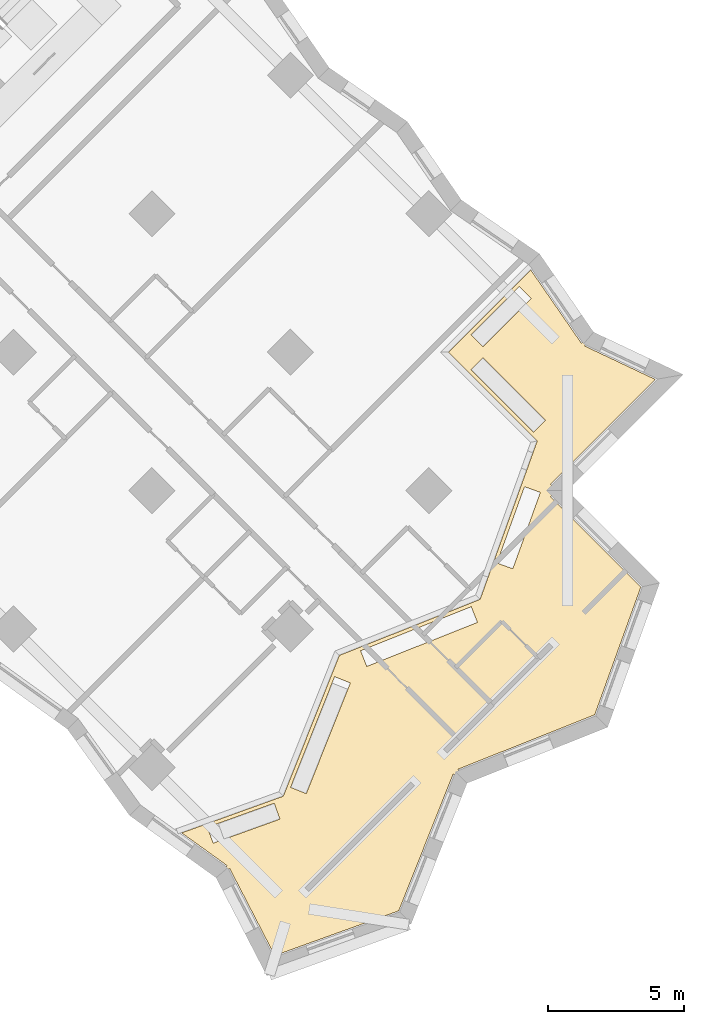
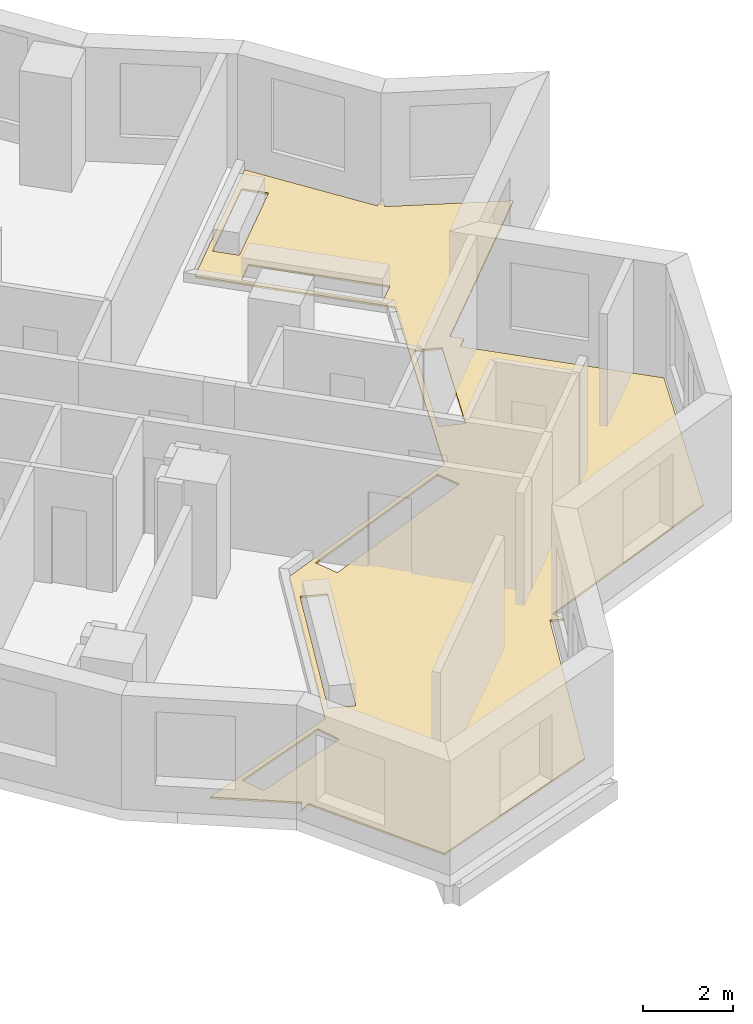
# One storey, part 12 of 13: 1 covering.
"""IFC4 building model written with IfcOpenShell, lengths in metres."""

from ifc_helpers import new_model, si_unit, direction, frame, origin, place, context, subcontext, project, spatial, polyline, outline, extrude, material, layer, layer_set, type_object, element, save


model = new_model("IFC4")

# Units and contexts
model_context = context("Model", 3, precision=1e-05, world=origin(), true_north=direction((0.0, 1.0)))
body_context = subcontext(model_context, "Body", "Model", "MODEL_VIEW")
ifc_project = project(units=[si_unit("LENGTHUNIT", "METRE"), si_unit("AREAUNIT", "SQUARE_METRE"), si_unit("VOLUMEUNIT", "CUBIC_METRE"), si_unit("PLANEANGLEUNIT", "RADIAN"), si_unit("MASSUNIT", "GRAM", prefix="KILO")], contexts=[model_context])

# Site, building, storey
site_placement = place(None, origin())
site = spatial("IfcSite", under=ifc_project, at=site_placement, CompositionType="ELEMENT")
building_placement = place(site_placement, origin())
building = spatial("IfcBuilding", under=site, at=building_placement, Name="Windrow Commons", CompositionType="ELEMENT")
storey_placement = place(building_placement, frame((0.0, 0.0, 64.4)))
storey = spatial("IfcBuildingStorey", under=building, at=storey_placement, Name="L17", CompositionType="ELEMENT", Elevation=64.4)

# Covering
ifc_material = material(Name="Granite pavers on waterproofing membrane", Category="masonry")
ifc_layer = layer(ifc_material, 0.05)
ifc_layer_set = layer_set([ifc_layer], Name="Terrace roofing 50")
covering_type = type_object("IfcCoveringType", Name="Terrace roofing 50", PredefinedType="ROOFING", material=ifc_layer_set)
covering_placement = place(storey_placement, origin())
element("IfcCovering", 1, at=covering_placement, inside=storey, type_object=covering_type, Name="Terrace roofing TR-L17-1", PredefinedType="ROOFING", context=body_context, shape_type="SweptSolid", body=[
    extrude(outline(polyline([(113.3428, 32.0235), (113.5731, 32.6621), (113.7307, 33.0993), (110.4683, 36.3618), (113.4918, 39.3853), (115.3493, 36.6943), (115.6168, 36.879), (115.4778, 36.5852), (118.0754, 35.3564), (114.2195, 31.5004), (114.4493, 31.2706), (114.2195, 31.0408), (117.5386, 27.7216), (115.845, 23.0255), (110.8187, 21.0257), (110.9389, 20.7237), (110.6369, 20.8439), (108.637, 15.8176), (104.0773, 14.1732), (102.4248, 17.3679), (102.1362, 17.2185), (102.326, 17.4823), (100.6539, 18.6858), (104.3926, 20.0341), (106.4521, 25.2105), (111.6285, 27.2701), (111.9229, 28.0864), (113.3428, 32.0235)]), holes=[polyline([(104.0586, 19.7755), (101.6031, 18.89), (101.8134, 18.3067), (104.2689, 19.1922), (104.0586, 19.7755)]), polyline([(106.281, 24.4289), (104.662, 20.3595), (105.238, 20.1303), (106.857, 24.1997), (106.281, 24.4289)]), polyline([(111.3031, 27.0007), (107.2337, 25.3816), (107.4629, 24.8056), (111.5323, 26.4247), (111.3031, 27.0007)]), polyline([(113.8448, 31.2046), (113.2615, 31.415), (112.2487, 28.6067), (112.832, 28.3963), (113.8448, 31.2046)]), polyline([(111.2956, 35.7183), (113.5958, 33.418), (114.0342, 33.8564), (111.734, 36.1567), (111.2956, 35.7183)]), polyline([(113.0665, 38.7762), (111.2956, 37.0053), (111.734, 36.5668), (113.5049, 38.3377), (113.0665, 38.7762)])]), origin(), (0.0, 0.0, 1.0), 0.05),
])

save(model, "model.ifc")
